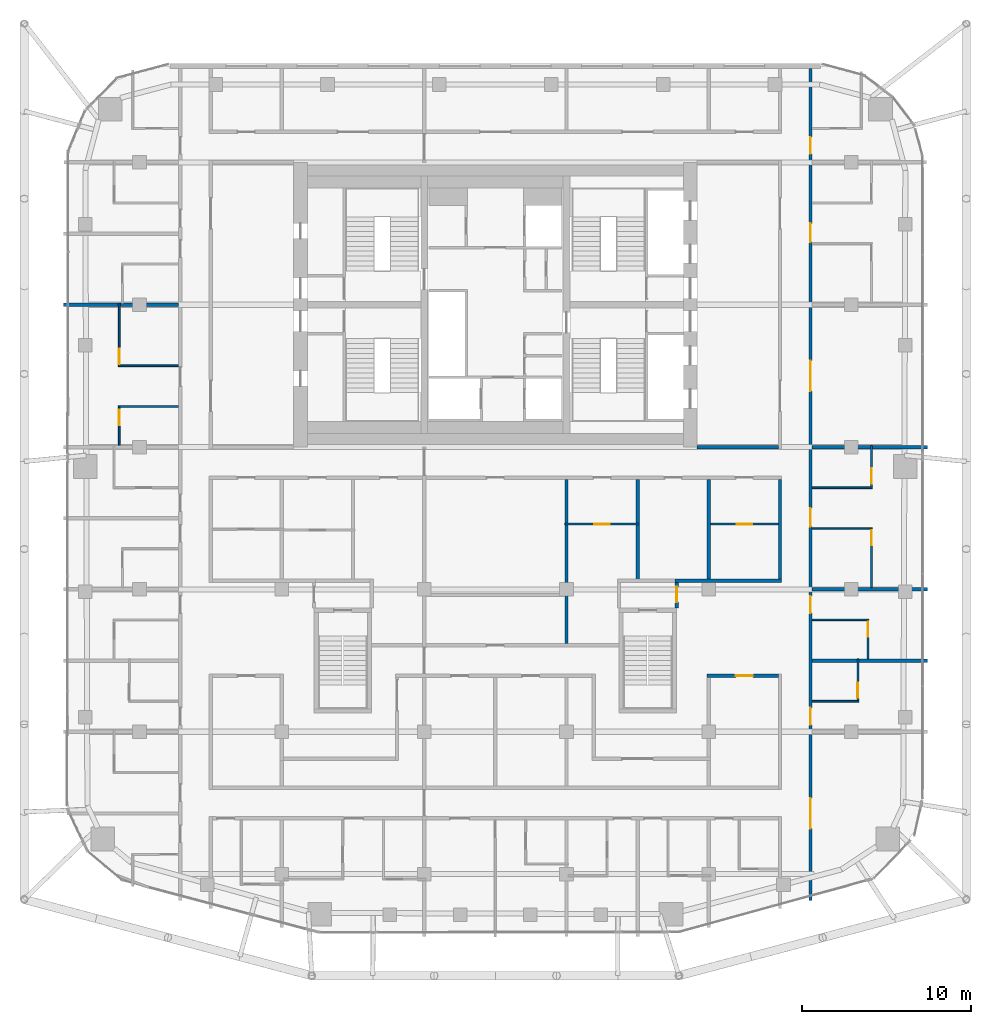
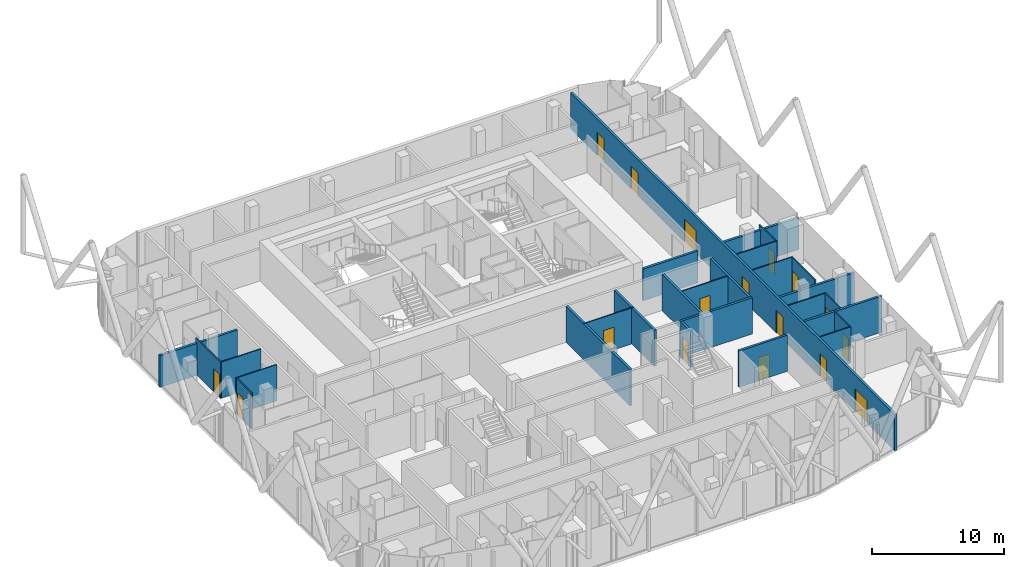
# One storey, part 26 of 31: 27 walls, 17 doors, 17 openings.
"""IFC4 building model written with IfcOpenShell, lengths in metres."""

from ifc_helpers import new_model, si_unit, direction, frame, frame_2d, origin, place, context, subcontext, project, spatial, rectangle, extrude, material, layer, layer_set, type_object, element, fill, save


model = new_model("IFC4")

# Units and contexts
model_context = context("Model", 3, precision=1e-05, world=origin(), true_north=direction((0.0, 1.0)))
body_context = subcontext(model_context, "Body", "Model", "MODEL_VIEW")
ifc_project = project(units=[si_unit("LENGTHUNIT", "METRE"), si_unit("AREAUNIT", "SQUARE_METRE"), si_unit("VOLUMEUNIT", "CUBIC_METRE"), si_unit("PLANEANGLEUNIT", "RADIAN"), si_unit("MASSUNIT", "GRAM", prefix="KILO")], contexts=[model_context])

# Site, building, storey
site_placement = place(None, origin())
site = spatial("IfcSite", under=ifc_project, at=site_placement, CompositionType="ELEMENT")
building_placement = place(site_placement, origin())
building = spatial("IfcBuilding", under=site, at=building_placement, Name="Marenta Gate Hotel Tower", CompositionType="ELEMENT")
storey_placement = place(building_placement, frame((0.0, 0.0, 220.10009765625)))
storey = spatial("IfcBuildingStorey", under=building, at=storey_placement, Name="L51", CompositionType="ELEMENT", Elevation=220.10009765625)

# Walls
ifc_material_1 = material(Name="Concrete blockwork", Category="masonry")
ifc_layer_1 = layer(ifc_material_1, 0.199951171875)
ifc_layer_set_1 = layer_set([ifc_layer_1], Name="Concrete blockwork")
wall_type_1 = type_object("IfcWallType", Name="Core boundary wall 200 REI 180", PredefinedType="PARTITIONING", material=ifc_layer_set_1)
wall_1_placement = place(storey_placement, frame((11.89990234375, 0.0, 0.0), z_axis=(0.0, 0.0, 1.0), x_axis=(1.0, 0.0, 0.0)))
element("IfcWall", 1, at=wall_1_placement, inside=storey, type_object=wall_type_1, Name="L51-CP-EW-ES", PredefinedType="PARTITIONING", context=body_context, shape_type="SweptSolid", body=[
    extrude(rectangle(XDim=4.800048828125, YDim=0.199951171875, at=frame_2d((2.39990234375, 0.0))), origin(), (0.0, 0.0, 1.0), 2.93994140625),
])
ifc_material_2 = material(Name="Concrete blockwork", Category="masonry")
ifc_layer_2 = layer(ifc_material_2, 0.199951171875)
ifc_layer_set_2 = layer_set([ifc_layer_2], Name="Concrete blockwork")
wall_type_2 = type_object("IfcWallType", Name="Room corridor wall 200 EI 120", PredefinedType="PARTITIONING", material=ifc_layer_set_2)
wall_2_placement = place(storey_placement, frame((16.800048828125, -7.800048828125, 0.0), z_axis=(0.0, 0.0, 1.0), x_axis=(0.0, 1.0, 0.0)))
element("IfcWall", 2, at=wall_2_placement, inside=storey, type_object=wall_type_2, Name="L51-PTN-W026", PredefinedType="PARTITIONING", context=body_context, shape_type="SweptSolid", body=[
    extrude(rectangle(XDim=5.900146484375, YDim=0.199951171875, at=frame_2d((2.9501953125, 0.0))), origin(), (0.0, 0.0, 1.0), 3.33984375),
])
wall_3_placement = place(storey_placement, frame((10.60009765625, -7.89990234375, 0.0), z_axis=(0.0, 0.0, 1.0), x_axis=(1.0, 0.0, 0.0)))
element("IfcWall", 3, at=wall_3_placement, inside=storey, type_object=wall_type_2, Name="L51-PTN-W054", PredefinedType="PARTITIONING", context=body_context, shape_type="SweptSolid", body=[
    extrude(rectangle(XDim=6.2998046875, YDim=0.199951171875, at=frame_2d((3.14990234375, 0.0))), origin(), (0.0, 0.0, 1.0), 3.33984375),
])

# Wall, openings, doors
ifc_material_3 = material(Name="Gypsum board on steel stud", Category="steel")
ifc_layer_3 = layer(ifc_material_3, 0.199951171875)
ifc_layer_set_3 = layer_set([ifc_layer_3], Name="Gypsum board on steel stud")
wall_type_3 = type_object("IfcWallType", Name="Room corridor wall 200 EI 60", PredefinedType="PARTITIONING", material=ifc_layer_set_3)
wall_4_placement = place(storey_placement, frame((18.60009765625, -26.7509765625, 0.0), z_axis=(0.0, 0.0, 1.0), x_axis=(0.0, 1.0, 0.0)))
wall_4 = element("IfcWall", 4, at=wall_4_placement, inside=storey, type_object=wall_type_3, Name="L51-PTN-W021", PredefinedType="PARTITIONING", context=body_context, shape_type="SweptSolid", body=[
    extrude(rectangle(XDim=49.091064453125, YDim=0.199951171875, at=frame_2d((24.54541015625, 0.0))), origin(), (0.0, 0.0, 1.0), 3.33984375),
])
opening_1_placement = place(wall_4_placement, frame((4.22607421875, 0.0, 0.0)))
opening_1 = element("IfcOpeningElement", 5, at=opening_1_placement, cuts=wall_4, Name="Opening G19-17", PredefinedType="OPENING", context=body_context, shape_type="SweptSolid", body=[
    extrude(rectangle(XDim=1.800048828125, YDim=2.10009765625, at=frame_2d((0.89990234375, 1.050048828125))), frame((0.0, 0.10009765625, 0.0), z_axis=(0.0, -1.0, 0.0), x_axis=(1.0, 0.0, 0.0)), (0.0, 0.0, 1.0), 0.199951171875),
])
opening_2_placement = place(wall_4_placement, frame((10.35107421875, 0.0, 0.0)))
opening_2 = element("IfcOpeningElement", 6, at=opening_2_placement, cuts=wall_4, Name="Opening G19-18", PredefinedType="OPENING", context=body_context, shape_type="SweptSolid", body=[
    extrude(rectangle(XDim=1.0, YDim=2.10009765625, at=frame_2d((0.5, 1.050048828125))), frame((0.0, 0.10009765625, 0.0), z_axis=(0.0, -1.0, 0.0), x_axis=(1.0, 0.0, 0.0)), (0.0, 0.0, 1.0), 0.199951171875),
])
opening_3_placement = place(wall_4_placement, frame((16.950927734375, 0.0, 0.0)))
opening_3 = element("IfcOpeningElement", 7, at=opening_3_placement, cuts=wall_4, Name="Opening G19-20", PredefinedType="OPENING", context=body_context, shape_type="SweptSolid", body=[
    extrude(rectangle(XDim=1.0, YDim=2.10009765625, at=frame_2d((0.5, 1.050048828125))), frame((0.0, 0.10009765625, 0.0), z_axis=(0.0, -1.0, 0.0), x_axis=(1.0, 0.0, 0.0)), (0.0, 0.0, 1.0), 0.199951171875),
])
opening_4_placement = place(wall_4_placement, frame((22.051025390625, 0.0, 0.0)))
opening_4 = element("IfcOpeningElement", 8, at=opening_4_placement, cuts=wall_4, Name="Opening G19-22", PredefinedType="OPENING", context=body_context, shape_type="SweptSolid", body=[
    extrude(rectangle(XDim=1.10009765625, YDim=2.10009765625, at=frame_2d((0.550048828125, 1.050048828125))), frame((0.0, 0.10009765625, 0.0), z_axis=(0.0, -1.0, 0.0), x_axis=(1.0, 0.0, 0.0)), (0.0, 0.0, 1.0), 0.199951171875),
])
opening_5_placement = place(wall_4_placement, frame((30.051025390625, 0.0, 0.0)))
opening_5 = element("IfcOpeningElement", 9, at=opening_5_placement, cuts=wall_4, Name="Opening G19-25", PredefinedType="OPENING", context=body_context, shape_type="SweptSolid", body=[
    extrude(rectangle(XDim=1.800048828125, YDim=2.10009765625, at=frame_2d((0.89990234375, 1.050048828125))), frame((0.0, 0.10009765625, 0.0), z_axis=(0.0, -1.0, 0.0), x_axis=(1.0, 0.0, 0.0)), (0.0, 0.0, 1.0), 0.199951171875),
])
opening_6_placement = place(wall_4_placement, frame((38.85107421875, 0.0, 0.0)))
opening_6 = element("IfcOpeningElement", 10, at=opening_6_placement, cuts=wall_4, Name="Opening G19-26", PredefinedType="OPENING", context=body_context, shape_type="SweptSolid", body=[
    extrude(rectangle(XDim=1.10009765625, YDim=2.10009765625, at=frame_2d((0.550048828125, 1.050048828125))), frame((0.0, 0.10009765625, 0.0), z_axis=(0.0, -1.0, 0.0), x_axis=(1.0, 0.0, 0.0)), (0.0, 0.0, 1.0), 0.199951171875),
])
opening_7_placement = place(wall_4_placement, frame((44.051025390625, 0.0, 0.0)))
opening_7 = element("IfcOpeningElement", 11, at=opening_7_placement, cuts=wall_4, Name="Opening G19-29", PredefinedType="OPENING", context=body_context, shape_type="SweptSolid", body=[
    extrude(rectangle(XDim=1.0, YDim=2.10009765625, at=frame_2d((0.5, 1.050048828125))), frame((0.0, 0.10009765625, 0.0), z_axis=(0.0, -1.0, 0.0), x_axis=(1.0, 0.0, 0.0)), (0.0, 0.0, 1.0), 0.199951171875),
])
ifc_material_4 = material(Name="Timber door leaf", Category="wood")
door_type_1 = type_object("IfcDoorType", Name="Guest room door 1000x2100 EI 30", OperationType="NOTDEFINED", PredefinedType="DOOR", material=ifc_material_4)
door_1_placement = place(opening_2_placement, origin())
door_1 = element("IfcDoor", 12, at=door_1_placement, inside=storey, type_object=door_type_1, Name="L51-PD-D018", OperationType="SINGLE_SWING_RIGHT", OverallHeight=2.10009765625, OverallWidth=1.0, PredefinedType="DOOR", context=body_context, shape_type="SweptSolid", body=[
    extrude(rectangle(XDim=1.0, YDim=2.10009765625, at=frame_2d((0.5, 1.050048828125))), frame((0.0, 0.02490234375, 0.0), z_axis=(0.0, -1.0, 0.0), x_axis=(1.0, 0.0, 0.0)), (0.0, 0.0, 1.0), 0.050048828125),
])
fill(opening_2, door_1)
door_2_placement = place(opening_3_placement, origin())
door_2 = element("IfcDoor", 13, at=door_2_placement, inside=storey, type_object=door_type_1, Name="L51-PD-D020", OperationType="SINGLE_SWING_RIGHT", OverallHeight=2.10009765625, OverallWidth=1.0, PredefinedType="DOOR", context=body_context, shape_type="SweptSolid", body=[
    extrude(rectangle(XDim=1.0, YDim=2.10009765625, at=frame_2d((0.5, 1.050048828125))), frame((0.0, 0.02490234375, 0.0), z_axis=(0.0, -1.0, 0.0), x_axis=(1.0, 0.0, 0.0)), (0.0, 0.0, 1.0), 0.050048828125),
])
fill(opening_3, door_2)
door_3_placement = place(opening_7_placement, origin())
door_3 = element("IfcDoor", 14, at=door_3_placement, inside=storey, type_object=door_type_1, Name="L51-PD-D029", OperationType="SINGLE_SWING_LEFT", OverallHeight=2.10009765625, OverallWidth=1.0, PredefinedType="DOOR", context=body_context, shape_type="SweptSolid", body=[
    extrude(rectangle(XDim=1.0, YDim=2.10009765625, at=frame_2d((0.5, 1.050048828125))), frame((0.0, 0.02490234375, 0.0), z_axis=(0.0, -1.0, 0.0), x_axis=(1.0, 0.0, 0.0)), (0.0, 0.0, 1.0), 0.050048828125),
])
fill(opening_7, door_3)
ifc_material_5 = material(Name="Timber door leaf", Category="wood")
door_type_2 = type_object("IfcDoorType", Name="Guest room door 1100x2100 EI 30", OperationType="NOTDEFINED", PredefinedType="DOOR", material=ifc_material_5)
door_4_placement = place(opening_4_placement, origin())
door_4 = element("IfcDoor", 15, at=door_4_placement, inside=storey, type_object=door_type_2, Name="L51-PD-D022", OperationType="SINGLE_SWING_RIGHT", OverallHeight=2.10009765625, OverallWidth=1.10009765625, PredefinedType="DOOR", context=body_context, shape_type="SweptSolid", body=[
    extrude(rectangle(XDim=1.10009765625, YDim=2.10009765625, at=frame_2d((0.550048828125, 1.050048828125))), frame((0.0, 0.02490234375, 0.0), z_axis=(0.0, -1.0, 0.0), x_axis=(1.0, 0.0, 0.0)), (0.0, 0.0, 1.0), 0.050048828125),
])
fill(opening_4, door_4)
door_5_placement = place(opening_6_placement, origin())
door_5 = element("IfcDoor", 16, at=door_5_placement, inside=storey, type_object=door_type_2, Name="L51-PD-D026", OperationType="SINGLE_SWING_RIGHT", OverallHeight=2.10009765625, OverallWidth=1.10009765625, PredefinedType="DOOR", context=body_context, shape_type="SweptSolid", body=[
    extrude(rectangle(XDim=1.10009765625, YDim=2.10009765625, at=frame_2d((0.550048828125, 1.050048828125))), frame((0.0, 0.02490234375, 0.0), z_axis=(0.0, -1.0, 0.0), x_axis=(1.0, 0.0, 0.0)), (0.0, 0.0, 1.0), 0.050048828125),
])
fill(opening_6, door_5)
ifc_material_6 = material(Name="Timber door leaf", Category="wood")
door_type_3 = type_object("IfcDoorType", Name="Room amenity door 1800x2100 EI 30", OperationType="DOUBLE_DOOR_SINGLE_SWING", PredefinedType="DOOR", material=ifc_material_6)
door_6_placement = place(opening_1_placement, origin())
door_6 = element("IfcDoor", 17, at=door_6_placement, inside=storey, type_object=door_type_3, Name="L51-PD-D017", OperationType="DOUBLE_DOOR_SINGLE_SWING", OverallHeight=2.10009765625, OverallWidth=1.800048828125, PredefinedType="DOOR", context=body_context, shape_type="SweptSolid", body=[
    extrude(rectangle(XDim=1.800048828125, YDim=2.10009765625, at=frame_2d((0.89990234375, 1.050048828125))), frame((0.0, 0.02490234375, 0.0), z_axis=(0.0, -1.0, 0.0), x_axis=(1.0, 0.0, 0.0)), (0.0, 0.0, 1.0), 0.050048828125),
])
fill(opening_1, door_6)
door_7_placement = place(opening_5_placement, origin())
door_7 = element("IfcDoor", 18, at=door_7_placement, inside=storey, type_object=door_type_3, Name="L51-PD-D025", OperationType="DOUBLE_DOOR_SINGLE_SWING", OverallHeight=2.10009765625, OverallWidth=1.800048828125, PredefinedType="DOOR", context=body_context, shape_type="SweptSolid", body=[
    extrude(rectangle(XDim=1.800048828125, YDim=2.10009765625, at=frame_2d((0.89990234375, 1.050048828125))), frame((0.0, 0.02490234375, 0.0), z_axis=(0.0, -1.0, 0.0), x_axis=(1.0, 0.0, 0.0)), (0.0, 0.0, 1.0), 0.050048828125),
])
fill(opening_5, door_7)

# Wall, opening, door
wall_5_placement = place(storey_placement, frame((12.5, -13.5, 0.0), z_axis=(0.0, 0.0, 1.0), x_axis=(1.0, 0.0, 0.0)))
wall_5 = element("IfcWall", 19, at=wall_5_placement, inside=storey, type_object=wall_type_3, Name="L51-PTN-W035", PredefinedType="PARTITIONING", context=body_context, shape_type="SweptSolid", body=[
    extrude(rectangle(XDim=4.199951171875, YDim=0.199951171875, at=frame_2d((2.10009765625, 0.0))), origin(), (0.0, 0.0, 1.0), 3.33984375),
])
opening_8_placement = place(wall_5_placement, frame((1.699951171875, 0.0, 0.0)))
opening_8 = element("IfcOpeningElement", 20, at=opening_8_placement, cuts=wall_5, Name="Opening G19-16", PredefinedType="OPENING", context=body_context, shape_type="SweptSolid", body=[
    extrude(rectangle(XDim=1.0, YDim=2.10009765625, at=frame_2d((0.5, 1.050048828125))), frame((0.0, 0.10009765625, 0.0), z_axis=(0.0, -1.0, 0.0), x_axis=(1.0, 0.0, 0.0)), (0.0, 0.0, 1.0), 0.199951171875),
])
ifc_material_7 = material(Name="Timber door leaf", Category="wood")
door_type_4 = type_object("IfcDoorType", Name="Room amenity door 1000x2100 EI 30", OperationType="NOTDEFINED", PredefinedType="DOOR", material=ifc_material_7)
door_8_placement = place(opening_8_placement, origin())
door_8 = element("IfcDoor", 21, at=door_8_placement, inside=storey, type_object=door_type_4, Name="L51-PD-D016", OperationType="SINGLE_SWING_RIGHT", OverallHeight=2.10009765625, OverallWidth=1.0, PredefinedType="DOOR", context=body_context, shape_type="SweptSolid", body=[
    extrude(rectangle(XDim=1.0, YDim=2.10009765625, at=frame_2d((0.5, 1.050048828125))), frame((0.0, 0.02490234375, 0.0), z_axis=(0.0, -1.0, 0.0), x_axis=(1.0, 0.0, 0.0)), (0.0, 0.0, 1.0), 0.050048828125),
])
fill(opening_8, door_8)

ifc_material_8 = material(Name="Concrete blockwork", Category="masonry")
ifc_layer_4 = layer(ifc_material_8, 0.199951171875)
ifc_layer_set_4 = layer_set([ifc_layer_4], Name="Concrete blockwork")
wall_type_4 = type_object("IfcWallType", Name="Room corridor wall 200 REI 180", PredefinedType="PARTITIONING", material=ifc_layer_set_4)
wall_6_placement = place(storey_placement, frame((10.699951171875, -9.5, 0.0), z_axis=(0.0, 0.0, 1.0), x_axis=(0.0, 1.0, 0.0)))
wall_6 = element("IfcWall", 22, at=wall_6_placement, inside=storey, type_object=wall_type_4, Name="L51-PTN-W044", PredefinedType="PARTITIONING", context=body_context, shape_type="SweptSolid", body=[
    extrude(rectangle(XDim=1.5, YDim=0.199951171875, at=frame_2d((0.75, 0.0))), origin(), (0.0, 0.0, 1.0), 3.33984375),
])
opening_9_placement = place(wall_6_placement, frame((0.35009765625, 0.0, 0.0)))
opening_9 = element("IfcOpeningElement", 23, at=opening_9_placement, cuts=wall_6, Name="Opening G19-72", PredefinedType="OPENING", context=body_context, shape_type="SweptSolid", body=[
    extrude(rectangle(XDim=0.89990234375, YDim=2.10009765625, at=frame_2d((0.449951171875, 1.050048828125))), frame((0.0, 0.10009765625, 0.0), z_axis=(0.0, -1.0, 0.0), x_axis=(1.0, 0.0, 0.0)), (0.0, 0.0, 1.0), 0.199951171875),
])
ifc_material_9 = material(Name="Hollow steel door set", Category="steel")
door_type_5 = type_object("IfcDoorType", Name="Stair vestibule door 900x2100 EI 60", OperationType="NOTDEFINED", PredefinedType="DOOR", material=ifc_material_9)
door_9_placement = place(opening_9_placement, origin())
door_9 = element("IfcDoor", 24, at=door_9_placement, inside=storey, type_object=door_type_5, Name="L51-PD-D072", OperationType="SINGLE_SWING_RIGHT", OverallHeight=2.10009765625, OverallWidth=0.89990234375, PredefinedType="DOOR", context=body_context, shape_type="SweptSolid", body=[
    extrude(rectangle(XDim=0.89990234375, YDim=2.10009765625, at=frame_2d((0.449951171875, 1.050048828125))), frame((0.0, 0.02490234375, 0.0), z_axis=(0.0, -1.0, 0.0), x_axis=(1.0, 0.0, 0.0)), (0.0, 0.0, 1.0), 0.050048828125),
])
fill(opening_9, door_9)

ifc_material_10 = material(Name="Gypsum board on steel stud", Category="steel")
ifc_layer_5 = layer(ifc_material_10, 0.10009765625)
ifc_layer_set_5 = layer_set([ifc_layer_5], Name="Gypsum board on steel stud")
wall_type_5 = type_object("IfcWallType", Name="Room partition 100", PredefinedType="PARTITIONING", material=ifc_layer_set_5)
wall_7_placement = place(storey_placement, frame((22.199951171875, -8.300048828125, 0.0), z_axis=(0.0, 0.0, 1.0), x_axis=(0.0, 1.0, 0.0)))
wall_7 = element("IfcWall", 25, at=wall_7_placement, inside=storey, type_object=wall_type_5, Name="L51-PTN-W010", PredefinedType="PARTITIONING", context=body_context, shape_type="SweptSolid", body=[
    extrude(rectangle(XDim=3.550048828125, YDim=0.10009765625, at=frame_2d((1.77490234375, 0.0))), origin(), (0.0, 0.0, 1.0), 3.33984375),
])
opening_10_placement = place(wall_7_placement, frame((2.5, 0.0, 0.0)))
opening_10 = element("IfcOpeningElement", 26, at=opening_10_placement, cuts=wall_7, Name="Opening G19-23", PredefinedType="OPENING", context=body_context, shape_type="SweptSolid", body=[
    extrude(rectangle(XDim=0.89990234375, YDim=2.10009765625, at=frame_2d((0.449951171875, 1.050048828125))), frame((0.0, 0.050048828125, 0.0), z_axis=(0.0, -1.0, 0.0), x_axis=(1.0, 0.0, 0.0)), (0.0, 0.0, 1.0), 0.10009765625),
])
ifc_material_11 = material(Name="Timber door leaf", Category="wood")
door_type_6 = type_object("IfcDoorType", Name="Guest bathroom door 900x2100", OperationType="NOTDEFINED", PredefinedType="DOOR", material=ifc_material_11)
door_10_placement = place(opening_10_placement, origin())
door_10 = element("IfcDoor", 27, at=door_10_placement, inside=storey, type_object=door_type_6, Name="L51-PD-D023", OperationType="SINGLE_SWING_RIGHT", OverallHeight=2.10009765625, OverallWidth=0.89990234375, PredefinedType="DOOR", context=body_context, shape_type="SweptSolid", body=[
    extrude(rectangle(XDim=0.89990234375, YDim=2.10009765625, at=frame_2d((0.449951171875, 1.050048828125))), frame((0.0, 0.02490234375, 0.0), z_axis=(0.0, -1.0, 0.0), x_axis=(1.0, 0.0, 0.0)), (0.0, 0.0, 1.0), 0.050048828125),
])
fill(opening_10, door_10)

wall_8_placement = place(storey_placement, frame((22.199951171875, -2.35009765625, 0.0), z_axis=(0.0, 0.0, 1.0), x_axis=(0.0, 1.0, 0.0)))
wall_8 = element("IfcWall", 28, at=wall_8_placement, inside=storey, type_object=wall_type_5, Name="L51-PTN-W011", PredefinedType="PARTITIONING", context=body_context, shape_type="SweptSolid", body=[
    extrude(rectangle(XDim=2.4501953125, YDim=0.10009765625, at=frame_2d((1.22509765625, 0.0))), origin(), (0.0, 0.0, 1.0), 3.33984375),
])
opening_11_placement = place(wall_8_placement, frame((0.199951171875, 0.0, 0.0)))
opening_11 = element("IfcOpeningElement", 29, at=opening_11_placement, cuts=wall_8, Name="Opening G19-24", PredefinedType="OPENING", context=body_context, shape_type="SweptSolid", body=[
    extrude(rectangle(XDim=0.89990234375, YDim=2.10009765625, at=frame_2d((0.449951171875, 1.050048828125))), frame((0.0, 0.050048828125, 0.0), z_axis=(0.0, -1.0, 0.0), x_axis=(1.0, 0.0, 0.0)), (0.0, 0.0, 1.0), 0.10009765625),
])
ifc_material_12 = material(Name="Timber door leaf", Category="wood")
door_type_7 = type_object("IfcDoorType", Name="Room inner door 900x2100", OperationType="NOTDEFINED", PredefinedType="DOOR", material=ifc_material_12)
door_11_placement = place(opening_11_placement, origin())
door_11 = element("IfcDoor", 30, at=door_11_placement, inside=storey, type_object=door_type_7, Name="L51-PD-D024", OperationType="SINGLE_SWING_LEFT", OverallHeight=2.10009765625, OverallWidth=0.89990234375, PredefinedType="DOOR", context=body_context, shape_type="SweptSolid", body=[
    extrude(rectangle(XDim=0.89990234375, YDim=2.10009765625, at=frame_2d((0.449951171875, 1.050048828125))), frame((0.0, 0.02490234375, 0.0), z_axis=(0.0, -1.0, 0.0), x_axis=(1.0, 0.0, 0.0)), (0.0, 0.0, 1.0), 0.050048828125),
])
fill(opening_11, door_11)

wall_9_placement = place(storey_placement, frame((22.0, -12.5, 0.0), z_axis=(0.0, 0.0, 1.0), x_axis=(0.0, 1.0, 0.0)))
wall_9 = element("IfcWall", 31, at=wall_9_placement, inside=storey, type_object=wall_type_5, Name="L51-PTN-W014", PredefinedType="PARTITIONING", context=body_context, shape_type="SweptSolid", body=[
    extrude(rectangle(XDim=2.35009765625, YDim=0.10009765625, at=frame_2d((1.175048828125, 0.0))), origin(), (0.0, 0.0, 1.0), 3.33984375),
])
opening_12_placement = place(wall_9_placement, frame((1.300048828125, 0.0, 0.0)))
opening_12 = element("IfcOpeningElement", 32, at=opening_12_placement, cuts=wall_9, Name="Opening G19-21", PredefinedType="OPENING", context=body_context, shape_type="SweptSolid", body=[
    extrude(rectangle(XDim=0.89990234375, YDim=2.10009765625, at=frame_2d((0.449951171875, 1.050048828125))), frame((0.0, 0.050048828125, 0.0), z_axis=(0.0, -1.0, 0.0), x_axis=(1.0, 0.0, 0.0)), (0.0, 0.0, 1.0), 0.10009765625),
])
door_12_placement = place(opening_12_placement, origin())
door_12 = element("IfcDoor", 33, at=door_12_placement, inside=storey, type_object=door_type_6, Name="L51-PD-D021", OperationType="SINGLE_SWING_RIGHT", OverallHeight=2.10009765625, OverallWidth=0.89990234375, PredefinedType="DOOR", context=body_context, shape_type="SweptSolid", body=[
    extrude(rectangle(XDim=0.89990234375, YDim=2.10009765625, at=frame_2d((0.449951171875, 1.050048828125))), frame((0.0, 0.02490234375, 0.0), z_axis=(0.0, -1.0, 0.0), x_axis=(1.0, 0.0, 0.0)), (0.0, 0.0, 1.0), 0.050048828125),
])
fill(opening_12, door_12)

wall_10_placement = place(storey_placement, frame((21.39990234375, -14.949951171875, 0.0), z_axis=(0.0, 0.0, 1.0), x_axis=(0.0, 1.0, 0.0)))
wall_10 = element("IfcWall", 34, at=wall_10_placement, inside=storey, type_object=wall_type_5, Name="L51-PTN-W018", PredefinedType="PARTITIONING", context=body_context, shape_type="SweptSolid", body=[
    extrude(rectangle(XDim=2.449951171875, YDim=0.10009765625, at=frame_2d((1.22509765625, 0.0))), origin(), (0.0, 0.0, 1.0), 3.33984375),
])
opening_13_placement = place(wall_10_placement, frame((0.14990234375, 0.0, 0.0)))
opening_13 = element("IfcOpeningElement", 35, at=opening_13_placement, cuts=wall_10, Name="Opening G19-19", PredefinedType="OPENING", context=body_context, shape_type="SweptSolid", body=[
    extrude(rectangle(XDim=0.89990234375, YDim=2.10009765625, at=frame_2d((0.449951171875, 1.050048828125))), frame((0.0, 0.050048828125, 0.0), z_axis=(0.0, -1.0, 0.0), x_axis=(1.0, 0.0, 0.0)), (0.0, 0.0, 1.0), 0.10009765625),
])
door_13_placement = place(opening_13_placement, origin())
door_13 = element("IfcDoor", 36, at=door_13_placement, inside=storey, type_object=door_type_6, Name="L51-PD-D019", OperationType="SINGLE_SWING_LEFT", OverallHeight=2.10009765625, OverallWidth=0.89990234375, PredefinedType="DOOR", context=body_context, shape_type="SweptSolid", body=[
    extrude(rectangle(XDim=0.89990234375, YDim=2.10009765625, at=frame_2d((0.449951171875, 1.050048828125))), frame((0.0, 0.02490234375, 0.0), z_axis=(0.0, -1.0, 0.0), x_axis=(1.0, 0.0, 0.0)), (0.0, 0.0, 1.0), 0.050048828125),
])
fill(opening_13, door_13)

# Walls
wall_11_placement = place(storey_placement, frame((18.699951171875, -15.0, 0.0), z_axis=(0.0, 0.0, 1.0), x_axis=(1.0, 0.0, 0.0)))
element("IfcWall", 37, at=wall_11_placement, inside=storey, type_object=wall_type_5, Name="L51-PTN-W031", PredefinedType="PARTITIONING", context=body_context, shape_type="SweptSolid", body=[
    extrude(rectangle(XDim=2.75, YDim=0.10009765625, at=frame_2d((1.375, 0.0))), origin(), (0.0, 0.0, 1.0), 3.33984375),
])
wall_12_placement = place(storey_placement, frame((18.699951171875, -10.199951171875, 0.0), z_axis=(0.0, 0.0, 1.0), x_axis=(1.0, 0.0, 0.0)))
element("IfcWall", 38, at=wall_12_placement, inside=storey, type_object=wall_type_5, Name="L51-PTN-W047", PredefinedType="PARTITIONING", context=body_context, shape_type="SweptSolid", body=[
    extrude(rectangle(XDim=3.25, YDim=0.10009765625, at=frame_2d((1.625, 0.0))), origin(), (0.0, 0.0, 1.0), 3.33984375),
])
wall_13_placement = place(storey_placement, frame((18.699951171875, -4.800048828125, 0.0), z_axis=(0.0, 0.0, 1.0), x_axis=(1.0, 0.0, 0.0)))
element("IfcWall", 39, at=wall_13_placement, inside=storey, type_object=wall_type_5, Name="L51-PTN-W063", PredefinedType="PARTITIONING", context=body_context, shape_type="SweptSolid", body=[
    extrude(rectangle(XDim=3.449951171875, YDim=0.10009765625, at=frame_2d((1.72509765625, 0.0))), origin(), (0.0, 0.0, 1.0), 3.33984375),
])

# Wall, opening, door
wall_14_placement = place(storey_placement, frame((4.10009765625, -4.544921875, 0.0), z_axis=(0.0, 0.0, 1.0), x_axis=(1.0, 0.0, 0.0)))
wall_14 = element("IfcWall", 40, at=wall_14_placement, inside=storey, type_object=wall_type_5, Name="L51-PTN-W064", PredefinedType="PARTITIONING", context=body_context, shape_type="SweptSolid", body=[
    extrude(rectangle(XDim=4.39990234375, YDim=0.10009765625, at=frame_2d((2.199951171875, 0.0))), origin(), (0.0, 0.0, 1.0), 3.33984375),
])
opening_14_placement = place(wall_14_placement, frame((1.75, 0.0, 0.0)))
opening_14 = element("IfcOpeningElement", 41, at=opening_14_placement, cuts=wall_14, Name="Opening G19-07", PredefinedType="OPENING", context=body_context, shape_type="SweptSolid", body=[
    extrude(rectangle(XDim=0.89990234375, YDim=2.10009765625, at=frame_2d((0.449951171875, 1.050048828125))), frame((0.0, 0.050048828125, 0.0), z_axis=(0.0, -1.0, 0.0), x_axis=(1.0, 0.0, 0.0)), (0.0, 0.0, 1.0), 0.10009765625),
])
door_14_placement = place(opening_14_placement, origin())
door_14 = element("IfcDoor", 42, at=door_14_placement, inside=storey, type_object=door_type_7, Name="L51-PD-D007", OperationType="SINGLE_SWING_LEFT", OverallHeight=2.10009765625, OverallWidth=0.89990234375, PredefinedType="DOOR", context=body_context, shape_type="SweptSolid", body=[
    extrude(rectangle(XDim=0.89990234375, YDim=2.10009765625, at=frame_2d((0.449951171875, 1.050048828125))), frame((0.0, 0.02490234375, 0.0), z_axis=(0.0, -1.0, 0.0), x_axis=(1.0, 0.0, 0.0)), (0.0, 0.0, 1.0), 0.050048828125),
])
fill(opening_14, door_14)

wall_15_placement = place(storey_placement, frame((12.699951171875, -4.544921875, 0.0), z_axis=(0.0, 0.0, 1.0), x_axis=(1.0, 0.0, 0.0)))
wall_15 = element("IfcWall", 43, at=wall_15_placement, inside=storey, type_object=wall_type_5, Name="L51-PTN-W065", PredefinedType="PARTITIONING", context=body_context, shape_type="SweptSolid", body=[
    extrude(rectangle(XDim=4.0, YDim=0.10009765625, at=frame_2d((2.0, 0.0))), origin(), (0.0, 0.0, 1.0), 3.33984375),
])
opening_15_placement = place(wall_15_placement, frame((1.550048828125, 0.0, 0.0)))
opening_15 = element("IfcOpeningElement", 44, at=opening_15_placement, cuts=wall_15, Name="Opening G19-10", PredefinedType="OPENING", context=body_context, shape_type="SweptSolid", body=[
    extrude(rectangle(XDim=0.89990234375, YDim=2.10009765625, at=frame_2d((0.449951171875, 1.050048828125))), frame((0.0, 0.050048828125, 0.0), z_axis=(0.0, -1.0, 0.0), x_axis=(1.0, 0.0, 0.0)), (0.0, 0.0, 1.0), 0.10009765625),
])
door_15_placement = place(opening_15_placement, origin())
door_15 = element("IfcDoor", 45, at=door_15_placement, inside=storey, type_object=door_type_7, Name="L51-PD-D010", OperationType="SINGLE_SWING_RIGHT", OverallHeight=2.10009765625, OverallWidth=0.89990234375, PredefinedType="DOOR", context=body_context, shape_type="SweptSolid", body=[
    extrude(rectangle(XDim=0.89990234375, YDim=2.10009765625, at=frame_2d((0.449951171875, 1.050048828125))), frame((0.0, 0.02490234375, 0.0), z_axis=(0.0, -1.0, 0.0), x_axis=(1.0, 0.0, 0.0)), (0.0, 0.0, 1.0), 0.050048828125),
])
fill(opening_15, door_15)

# Walls
for number, where, z_axis, x_axis, name in (
    (46, (18.699951171875, -2.39990234375, 0.0), (0.0, 0.0, 1.0), (1.0, 0.0, 0.0), "L51-PTN-W072"),
    (47, (-22.25, 2.39990234375, 0.0), (0.0, 0.0, 1.0), (1.0, 0.0, 0.0), "L51-PTN-W079"),
):
    element("IfcWall", number, at=place(storey_placement, frame(where, z_axis=z_axis, x_axis=x_axis)), inside=storey, type_object=wall_type_5, Name=name, PredefinedType="PARTITIONING", context=body_context, shape_type="SweptSolid", body=[
        extrude(rectangle(XDim=3.550048828125, YDim=0.10009765625, at=frame_2d((1.77490234375, 0.0))), origin(), (0.0, 0.0, 1.0), 3.33984375),
    ])
wall_16_placement = place(storey_placement, frame((-22.14990234375, 4.800048828125, 0.0), z_axis=(0.0, 0.0, 1.0), x_axis=(1.0, 0.0, 0.0)))
element("IfcWall", 48, at=wall_16_placement, inside=storey, type_object=wall_type_5, Name="L51-PTN-W084", PredefinedType="PARTITIONING", context=body_context, shape_type="SweptSolid", body=[
    extrude(rectangle(XDim=3.449951171875, YDim=0.10009765625, at=frame_2d((1.72509765625, 0.0))), origin(), (0.0, 0.0, 1.0), 3.33984375),
])

# Wall, opening, door
wall_17_placement = place(storey_placement, frame((-22.199951171875, 0.10009765625, 0.0), z_axis=(0.0, 0.0, 1.0), x_axis=(0.0, 1.0, 0.0)))
wall_17 = element("IfcWall", 49, at=wall_17_placement, inside=storey, type_object=wall_type_5, Name="L51-PTN-W119", PredefinedType="PARTITIONING", context=body_context, shape_type="SweptSolid", body=[
    extrude(rectangle(XDim=2.25, YDim=0.10009765625, at=frame_2d((1.125, 0.0))), origin(), (0.0, 0.0, 1.0), 3.33984375),
])
opening_16_placement = place(wall_17_placement, frame((1.199951171875, 0.0, 0.0)))
opening_16 = element("IfcOpeningElement", 50, at=opening_16_placement, cuts=wall_17, Name="Opening G19-64", PredefinedType="OPENING", context=body_context, shape_type="SweptSolid", body=[
    extrude(rectangle(XDim=0.89990234375, YDim=2.10009765625, at=frame_2d((0.449951171875, 1.050048828125))), frame((0.0, 0.050048828125, 0.0), z_axis=(0.0, -1.0, 0.0), x_axis=(1.0, 0.0, 0.0)), (0.0, 0.0, 1.0), 0.10009765625),
])
door_16_placement = place(opening_16_placement, origin())
door_16 = element("IfcDoor", 51, at=door_16_placement, inside=storey, type_object=door_type_7, Name="L51-PD-D064", OperationType="SINGLE_SWING_LEFT", OverallHeight=2.10009765625, OverallWidth=0.89990234375, PredefinedType="DOOR", context=body_context, shape_type="SweptSolid", body=[
    extrude(rectangle(XDim=0.89990234375, YDim=2.10009765625, at=frame_2d((0.449951171875, 1.050048828125))), frame((0.0, 0.02490234375, 0.0), z_axis=(0.0, -1.0, 0.0), x_axis=(1.0, 0.0, 0.0)), (0.0, 0.0, 1.0), 0.050048828125),
])
fill(opening_16, door_16)

wall_18_placement = place(storey_placement, frame((-22.199951171875, 4.75, 0.0), z_axis=(0.0, 0.0, 1.0), x_axis=(0.0, 1.0, 0.0)))
wall_18 = element("IfcWall", 52, at=wall_18_placement, inside=storey, type_object=wall_type_5, Name="L51-PTN-W120", PredefinedType="PARTITIONING", context=body_context, shape_type="SweptSolid", body=[
    extrude(rectangle(XDim=3.75, YDim=0.10009765625, at=frame_2d((1.875, 0.0))), origin(), (0.0, 0.0, 1.0), 3.33984375),
])
opening_17_placement = place(wall_18_placement, frame((0.14990234375, 0.0, 0.0)))
opening_17 = element("IfcOpeningElement", 53, at=opening_17_placement, cuts=wall_18, Name="Opening G19-63", PredefinedType="OPENING", context=body_context, shape_type="SweptSolid", body=[
    extrude(rectangle(XDim=0.89990234375, YDim=2.10009765625, at=frame_2d((0.449951171875, 1.050048828125))), frame((0.0, 0.050048828125, 0.0), z_axis=(0.0, -1.0, 0.0), x_axis=(1.0, 0.0, 0.0)), (0.0, 0.0, 1.0), 0.10009765625),
])
door_17_placement = place(opening_17_placement, origin())
door_17 = element("IfcDoor", 54, at=door_17_placement, inside=storey, type_object=door_type_6, Name="L51-PD-D063", OperationType="SINGLE_SWING_RIGHT", OverallHeight=2.10009765625, OverallWidth=0.89990234375, PredefinedType="DOOR", context=body_context, shape_type="SweptSolid", body=[
    extrude(rectangle(XDim=0.89990234375, YDim=2.10009765625, at=frame_2d((0.449951171875, 1.050048828125))), frame((0.0, 0.02490234375, 0.0), z_axis=(0.0, -1.0, 0.0), x_axis=(1.0, 0.0, 0.0)), (0.0, 0.0, 1.0), 0.050048828125),
])
fill(opening_17, door_17)

# Walls
ifc_material_13 = material(Name="Concrete blockwork", Category="masonry")
ifc_layer_6 = layer(ifc_material_13, 0.199951171875)
ifc_layer_set_6 = layer_set([ifc_layer_6], Name="Concrete blockwork")
wall_type_6 = type_object("IfcWallType", Name="Room party wall 200 EI 120", PredefinedType="PARTITIONING", material=ifc_layer_set_6)
wall_19_placement = place(storey_placement, frame((12.60009765625, -7.800048828125, 0.0), z_axis=(0.0, 0.0, 1.0), x_axis=(0.0, 1.0, 0.0)))
element("IfcWall", 55, at=wall_19_placement, inside=storey, type_object=wall_type_6, Name="L51-PTN-W038", PredefinedType="PARTITIONING", context=body_context, shape_type="SweptSolid", body=[
    extrude(rectangle(XDim=5.900146484375, YDim=0.199951171875, at=frame_2d((2.9501953125, 0.0))), origin(), (0.0, 0.0, 1.0), 3.33984375),
])
wall_20_placement = place(storey_placement, frame((8.39990234375, -8.0, 0.0), z_axis=(0.0, 0.0, 1.0), x_axis=(0.0, 1.0, 0.0)))
element("IfcWall", 56, at=wall_20_placement, inside=storey, type_object=wall_type_6, Name="L51-PTN-W050", PredefinedType="PARTITIONING", context=body_context, shape_type="SweptSolid", body=[
    extrude(rectangle(XDim=6.10009765625, YDim=0.199951171875, at=frame_2d((3.050048828125, 0.0))), origin(), (0.0, 0.0, 1.0), 3.33984375),
])
wall_21_placement = place(storey_placement, frame((4.199951171875, -11.60009765625, 0.0), z_axis=(0.0, 0.0, 1.0), x_axis=(0.0, 1.0, 0.0)))
element("IfcWall", 57, at=wall_21_placement, inside=storey, type_object=wall_type_6, Name="L51-PTN-W068", PredefinedType="PARTITIONING", context=body_context, shape_type="SweptSolid", body=[
    extrude(rectangle(XDim=9.7001953125, YDim=0.199951171875, at=frame_2d((4.85009765625, 0.0))), origin(), (0.0, 0.0, 1.0), 3.33984375),
])
ifc_material_14 = material(Name="Gypsum board on steel stud", Category="steel")
ifc_layer_7 = layer(ifc_material_14, 0.199951171875)
ifc_layer_set_7 = layer_set([ifc_layer_7], Name="Gypsum board on steel stud")
wall_type_7 = type_object("IfcWallType", Name="Room party wall 200 EI 60", PredefinedType="PARTITIONING", material=ifc_layer_set_7)
wall_22_placement = place(storey_placement, frame((18.699951171875, -12.60009765625, 0.0), z_axis=(0.0, 0.0, 1.0), x_axis=(1.0, 0.0, 0.0)))
element("IfcWall", 58, at=wall_22_placement, inside=storey, type_object=wall_type_7, Name="L51-PTN-W042", PredefinedType="PARTITIONING", context=body_context, shape_type="SweptSolid", body=[
    extrude(rectangle(XDim=6.800048828125, YDim=0.199951171875, at=frame_2d((3.39990234375, 0.0))), origin(), (0.0, 0.0, 1.0), 3.33984375),
])
for number, where, z_axis, x_axis, name in (
    (59, (18.699951171875, -8.39990234375, 0.0), (0.0, 0.0, 1.0), (1.0, 0.0, 0.0), "L51-PTN-W052"),
    (60, (18.699951171875, 0.0, 0.0), (0.0, 0.0, 1.0), (1.0, 0.0, 0.0), "L51-PTN-W078"),
    (61, (-25.5, 8.39990234375, 0.0), (0.0, 0.0, 1.0), (1.0, 0.0, 0.0), "L51-PTN-W089"),
):
    element("IfcWall", number, at=place(storey_placement, frame(where, z_axis=z_axis, x_axis=x_axis)), inside=storey, type_object=wall_type_7, Name=name, PredefinedType="PARTITIONING", context=body_context, shape_type="SweptSolid", body=[
        extrude(rectangle(XDim=6.800048828125, YDim=0.199951171875, at=frame_2d((3.39990234375, 0.0))), origin(), (0.0, 0.0, 1.0), 2.93994140625),
    ])

save(model, "model.ifc")
